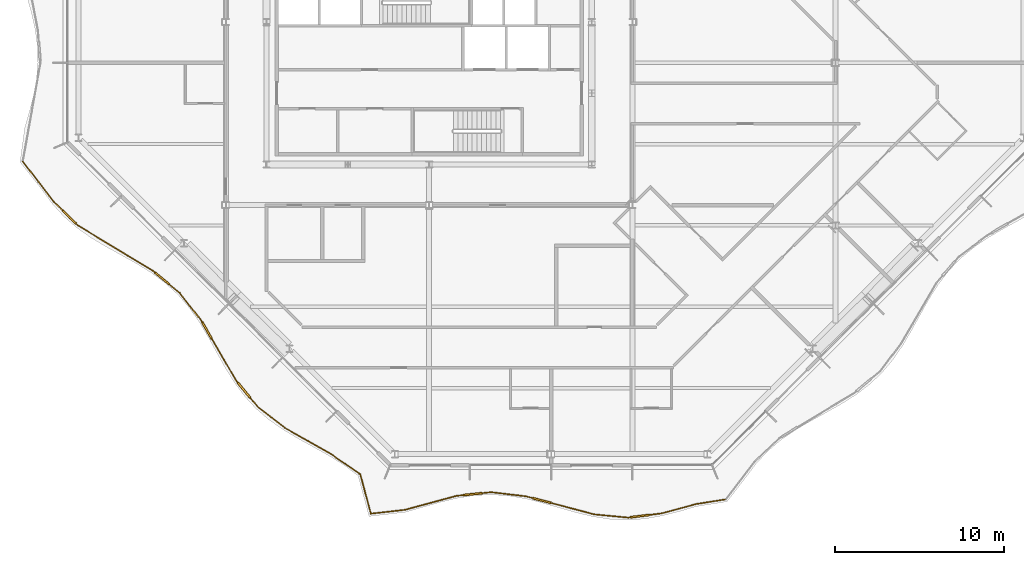
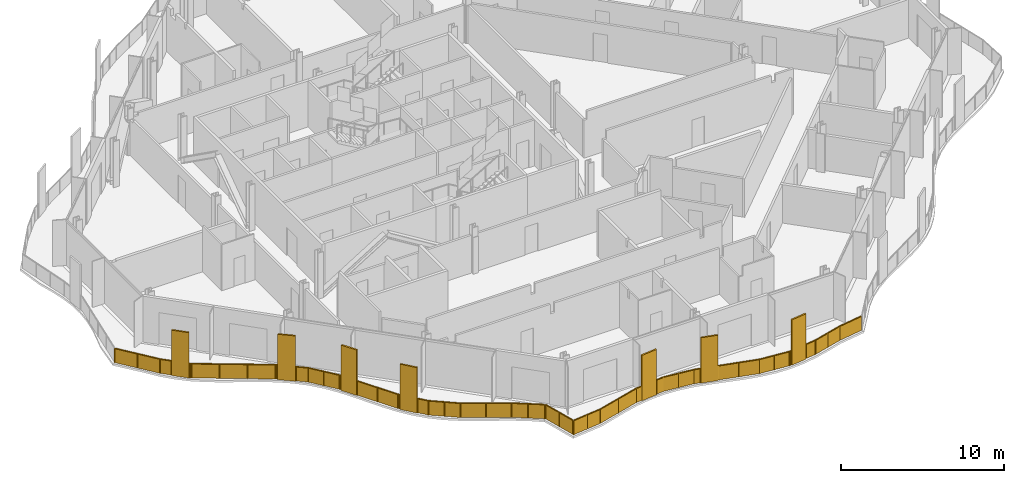
# One storey, part 13 of 17: 3 railings.
"""IFC4 building model written with IfcOpenShell, lengths in metres."""

from ifc_helpers import new_model, si_unit, direction, frame, origin, origin_2d, place, context, subcontext, project, spatial, polyline, rectangle, outline, extrude, material, type_object, element, save


model = new_model("IFC4")

# Units and contexts
model_context = context("Model", 3, precision=1e-05, world=origin(), true_north=direction((0.0, 1.0)))
body_context = subcontext(model_context, "Body", "Model", "MODEL_VIEW")
ifc_project = project(units=[si_unit("LENGTHUNIT", "METRE"), si_unit("AREAUNIT", "SQUARE_METRE"), si_unit("VOLUMEUNIT", "CUBIC_METRE"), si_unit("PLANEANGLEUNIT", "RADIAN"), si_unit("MASSUNIT", "GRAM", prefix="KILO")], contexts=[model_context])

# Site, building, storey
site_placement = place(None, origin())
site = spatial("IfcSite", under=ifc_project, at=site_placement, CompositionType="ELEMENT")
building_placement = place(site_placement, origin())
building = spatial("IfcBuilding", under=site, at=building_placement, Name="Cairn Pilgrim Tower", CompositionType="ELEMENT")
storey_placement = place(building_placement, frame((0.0, 0.0, 232.199951171875)))
storey = spatial("IfcBuildingStorey", under=building, at=storey_placement, Name="L59", CompositionType="ELEMENT", Elevation=232.199951171875)

# Railings
ifc_material_1 = material(Name="Bronze anodised aluminium rail and posts with laminated glass infill", Category="aluminium")
railing_type_1 = type_object("IfcRailingType", Name="BALCONY GUARD 1100", PredefinedType="GUARDRAIL", material=ifc_material_1)
railing_1_placement = place(storey_placement, frame((3.133056640625, -24.28271484375, 0.0)))
element("IfcRailing", 1, at=railing_1_placement, inside=storey, type_object=railing_type_1, Name="Balcony guard BG-9", PredefinedType="GUARDRAIL", context=body_context, shape_type="SweptSolid", body=[
    extrude(rectangle(XDim=0.050048828125, YDim=0.050048828125, at=origin_2d()), frame((0.0, 0.0, 1.0751953125), z_axis=(0.259293552442, -0.965798557496, 0.0), x_axis=(0.965798557496, 0.259293552442, 0.0)), (0.0, 0.0, 1.0), 2.356689453125),
    extrude(rectangle(XDim=0.050048828125, YDim=0.050048828125, at=origin_2d()), origin(), (0.0, 0.0, 1.0), 1.050048828125),
    extrude(rectangle(XDim=0.050048828125, YDim=0.050048828125, at=origin_2d()), frame((0.3056640625, -1.13818359375, 0.0)), (0.0, 0.0, 1.0), 1.050048828125),
    extrude(rectangle(XDim=0.050048828125, YDim=0.050048828125, at=origin_2d()), frame((0.611083984375, -2.276123046875, 0.0)), (0.0, 0.0, 1.0), 1.050048828125),
    extrude(outline(polyline([(0.02490234375, 0.0), (1.1533203125, 0.0), (1.1533203125, 1.050048828125), (0.02490234375, 1.050048828125), (0.02490234375, 0.0)])), frame((0.005859375, 0.00146484375, 0.0), z_axis=(-0.965798557496, -0.259293552442, 0.0), x_axis=(0.259293552442, -0.965798557496, 0.0)), (0.0, 0.0, 1.0), 0.011962890625),
    extrude(outline(polyline([(0.02490234375, 0.0), (1.1533203125, 0.0), (1.1533203125, 1.050048828125), (0.02490234375, 1.050048828125), (0.02490234375, 0.0)])), frame((0.311279296875, -1.136474609375, 0.0), z_axis=(-0.965798557496, -0.259293552442, 0.0), x_axis=(0.259293552442, -0.965798557496, 0.0)), (0.0, 0.0, 1.0), 0.011962890625),
])
ifc_material_2 = material(Name="Bronze anodised aluminium rail, posts and fin screens with laminated glass infill", Category="aluminium")
railing_type_2 = type_object("IfcRailingType", Name="BALCONY GUARD WITH FIN SCREENS", PredefinedType="GUARDRAIL", material=ifc_material_2)
railing_2_placement = place(storey_placement, frame((3.759765625, -26.61669921875, 0.0)))
element("IfcRailing", 2, at=railing_2_placement, inside=storey, type_object=railing_type_2, Name="Balcony guard BGF-1 with fin screens", PredefinedType="GUARDRAIL", context=body_context, shape_type="SweptSolid", body=[
    extrude(rectangle(XDim=0.050048828125, YDim=0.050048828125, at=origin_2d()), frame((0.0, 0.0, 1.0751953125), z_axis=(0.993583217329, 0.113103449293, 0.0), x_axis=(-0.113103449293, 0.993583217329, 0.0)), (0.0, 0.0, 1.0), 2.035400390625),
    extrude(rectangle(XDim=0.050048828125, YDim=0.050048828125, at=origin_2d()), frame((2.0224609375, 0.230224609375, 1.0751953125), z_axis=(0.965044785258, 0.26208502904, 0.0), x_axis=(-0.26208502904, 0.965044785258, 0.0)), (0.0, 0.0, 1.0), 3.14208984375),
    extrude(rectangle(XDim=1.10009765625, YDim=0.110107421875, at=origin_2d()), frame((6.018798828125, 1.154296875, 0.0), z_axis=(0.0, 0.0, 1.0), x_axis=(0.994613321271, 0.103654913782, 0.0)), (0.0, 0.0, 1.0), 3.39990234375),
    extrude(rectangle(XDim=0.050048828125, YDim=0.050048828125, at=origin_2d()), frame((5.0546875, 1.0537109375, 1.0751953125), z_axis=(0.994613321271, 0.103654913782, 0.0), x_axis=(-0.103654913782, 0.994613321271, 0.0)), (0.0, 0.0, 1.0), 0.41943359375),
    extrude(rectangle(XDim=0.050048828125, YDim=0.050048828125, at=origin_2d()), frame((6.56591796875, 1.211181640625, 1.0751953125), z_axis=(0.994613321271, 0.103654913782, 0.0), x_axis=(-0.103654913782, 0.994613321271, 0.0)), (0.0, 0.0, 1.0), 0.54150390625),
    extrude(rectangle(XDim=0.050048828125, YDim=0.050048828125, at=origin_2d()), frame((7.1044921875, 1.267333984375, 1.0751953125), z_axis=(0.993177246604, -0.116614565253, 0.0), x_axis=(0.116614565253, 0.993177246604, 0.0)), (0.0, 0.0, 1.0), 2.062255859375),
    extrude(rectangle(XDim=1.10009765625, YDim=0.110107421875, at=origin_2d()), frame((10.088623046875, 0.779541015625, 0.0), z_axis=(0.0, 0.0, 1.0), x_axis=(0.966804610479, -0.255516819712, 0.0)), (0.0, 0.0, 1.0), 3.39990234375),
    extrude(rectangle(XDim=0.050048828125, YDim=0.050048828125, at=origin_2d()), frame((9.152587890625, 1.02685546875, 1.0751953125), z_axis=(0.966804610479, -0.255516819712, 0.0), x_axis=(0.255516819712, 0.966804610479, 0.0)), (0.0, 0.0, 1.0), 0.41796875),
    extrude(rectangle(XDim=0.050048828125, YDim=0.050048828125, at=origin_2d()), frame((10.620361328125, 0.638916015625, 1.0751953125), z_axis=(0.966804610479, -0.255516819712, 0.0), x_axis=(0.255516819712, 0.966804610479, 0.0)), (0.0, 0.0, 1.0), 2.6611328125),
    extrude(rectangle(XDim=0.050048828125, YDim=0.050048828125, at=origin_2d()), frame((13.193115234375, -0.041015625, 1.0751953125), z_axis=(0.995474063991, -0.095033614687, 0.0), x_axis=(0.095033614687, 0.995474063991, 0.0)), (0.0, 0.0, 1.0), 2.001220703125),
    extrude(rectangle(XDim=1.10009765625, YDim=0.110107421875, at=origin_2d()), frame((15.8798828125, -0.143798828125, 0.0), z_axis=(0.0, 0.0, 1.0), x_axis=(0.992157815289, 0.124991477954, 0.0)), (0.0, 0.0, 1.0), 3.39990234375),
    extrude(rectangle(XDim=0.050048828125, YDim=0.050048828125, at=origin_2d()), frame((15.185302734375, -0.231201171875, 1.0751953125), z_axis=(0.992157815289, 0.124991477954, 0.0), x_axis=(-0.124991477954, 0.992157815289, 0.0)), (0.0, 0.0, 1.0), 0.150146484375),
    extrude(rectangle(XDim=0.050048828125, YDim=0.050048828125, at=origin_2d()), frame((16.425537109375, -0.074951171875, 1.0751953125), z_axis=(0.992157815289, 0.124991477954, 0.0), x_axis=(-0.124991477954, 0.992157815289, 0.0)), (0.0, 0.0, 1.0), 0.759765625),
    extrude(rectangle(XDim=0.050048828125, YDim=0.050048828125, at=origin_2d()), frame((17.179443359375, 0.02001953125, 1.0751953125), z_axis=(0.964917150506, 0.262554551776, 0.0), x_axis=(-0.262554551776, 0.964917150506, 0.0)), (0.0, 0.0, 1.0), 2.09228515625),
    extrude(rectangle(XDim=0.050048828125, YDim=0.050048828125, at=origin_2d()), frame((19.1982421875, 0.5693359375, 1.0751953125), z_axis=(0.987731725041, 0.156160300162, 0.0), x_axis=(-0.156160300162, 0.987731725041, 0.0)), (0.0, 0.0, 1.0), 1.7119140625),
    extrude(rectangle(XDim=0.050048828125, YDim=0.050048828125, at=origin_2d()), origin(), (0.0, 0.0, 1.0), 1.050048828125),
    extrude(rectangle(XDim=0.050048828125, YDim=0.050048828125, at=origin_2d()), frame((1.01123046875, 0.115234375, 0.0)), (0.0, 0.0, 1.0), 1.050048828125),
    extrude(rectangle(XDim=0.050048828125, YDim=0.050048828125, at=origin_2d()), frame((2.0224609375, 0.230224609375, 0.0)), (0.0, 0.0, 1.0), 1.050048828125),
    extrude(rectangle(XDim=0.050048828125, YDim=0.050048828125, at=origin_2d()), frame((3.53857421875, 0.64208984375, 0.0)), (0.0, 0.0, 1.0), 1.050048828125),
    extrude(rectangle(XDim=0.050048828125, YDim=0.050048828125, at=origin_2d()), frame((5.0546875, 1.0537109375, 0.0)), (0.0, 0.0, 1.0), 1.050048828125),
    extrude(rectangle(XDim=0.050048828125, YDim=0.050048828125, at=origin_2d()), frame((5.44677734375, 1.094482421875, 0.0)), (0.0, 0.0, 1.0), 1.050048828125),
    extrude(rectangle(XDim=0.050048828125, YDim=0.050048828125, at=origin_2d()), frame((6.5908203125, 1.2138671875, 0.0)), (0.0, 0.0, 1.0), 1.050048828125),
    extrude(rectangle(XDim=0.050048828125, YDim=0.050048828125, at=origin_2d()), frame((7.1044921875, 1.267333984375, 0.0)), (0.0, 0.0, 1.0), 1.050048828125),
    extrude(rectangle(XDim=0.050048828125, YDim=0.050048828125, at=origin_2d()), frame((8.12841796875, 1.14697265625, 0.0)), (0.0, 0.0, 1.0), 1.050048828125),
    extrude(rectangle(XDim=0.050048828125, YDim=0.050048828125, at=origin_2d()), frame((9.152587890625, 1.02685546875, 0.0)), (0.0, 0.0, 1.0), 1.050048828125),
    extrude(rectangle(XDim=0.050048828125, YDim=0.050048828125, at=origin_2d()), frame((9.532470703125, 0.926513671875, 0.0)), (0.0, 0.0, 1.0), 1.050048828125),
    extrude(rectangle(XDim=0.050048828125, YDim=0.050048828125, at=origin_2d()), frame((10.64453125, 0.632568359375, 0.0)), (0.0, 0.0, 1.0), 1.050048828125),
    extrude(rectangle(XDim=0.050048828125, YDim=0.050048828125, at=origin_2d()), frame((11.918701171875, 0.2958984375, 0.0)), (0.0, 0.0, 1.0), 1.050048828125),
    extrude(rectangle(XDim=0.050048828125, YDim=0.050048828125, at=origin_2d()), frame((13.193115234375, -0.041015625, 0.0)), (0.0, 0.0, 1.0), 1.050048828125),
    extrude(rectangle(XDim=0.050048828125, YDim=0.050048828125, at=origin_2d()), frame((14.189208984375, -0.13623046875, 0.0)), (0.0, 0.0, 1.0), 1.050048828125),
    extrude(rectangle(XDim=0.050048828125, YDim=0.050048828125, at=origin_2d()), frame((15.185302734375, -0.231201171875, 0.0)), (0.0, 0.0, 1.0), 1.050048828125),
    extrude(rectangle(XDim=0.050048828125, YDim=0.050048828125, at=origin_2d()), frame((15.309326171875, -0.215576171875, 0.0)), (0.0, 0.0, 1.0), 1.050048828125),
    extrude(rectangle(XDim=0.050048828125, YDim=0.050048828125, at=origin_2d()), frame((16.450439453125, -0.07177734375, 0.0)), (0.0, 0.0, 1.0), 1.050048828125),
    extrude(rectangle(XDim=0.050048828125, YDim=0.050048828125, at=origin_2d()), frame((17.179443359375, 0.02001953125, 0.0)), (0.0, 0.0, 1.0), 1.050048828125),
    extrude(rectangle(XDim=0.050048828125, YDim=0.050048828125, at=origin_2d()), frame((18.18896484375, 0.294677734375, 0.0)), (0.0, 0.0, 1.0), 1.050048828125),
    extrude(rectangle(XDim=0.050048828125, YDim=0.050048828125, at=origin_2d()), frame((19.1982421875, 0.5693359375, 0.0)), (0.0, 0.0, 1.0), 1.050048828125),
    extrude(rectangle(XDim=0.050048828125, YDim=0.050048828125, at=origin_2d()), frame((20.88916015625, 0.836669921875, 0.0)), (0.0, 0.0, 1.0), 1.050048828125),
    extrude(outline(polyline([(0.02490234375, 0.0), (0.99267578125, 0.0), (0.99267578125, 1.050048828125), (0.02490234375, 1.050048828125), (0.02490234375, 0.0)])), frame((-0.000732421875, 0.005859375, 0.0), z_axis=(0.113103449293, -0.993583217329, 0.0), x_axis=(0.993583217329, 0.113103449293, 0.0)), (0.0, 0.0, 1.0), 0.011962890625),
    extrude(outline(polyline([(0.02490234375, 0.0), (0.99267578125, 0.0), (0.99267578125, 1.050048828125), (0.02490234375, 1.050048828125), (0.02490234375, 0.0)])), frame((1.010498046875, 0.12109375, 0.0), z_axis=(0.113103449293, -0.993583217329, 0.0), x_axis=(0.993583217329, 0.113103449293, 0.0)), (0.0, 0.0, 1.0), 0.011962890625),
    extrude(outline(polyline([(0.02490234375, 0.0), (1.5458984375, 0.0), (1.5458984375, 1.050048828125), (0.02490234375, 1.050048828125), (0.02490234375, 0.0)])), frame((2.02099609375, 0.236083984375, 0.0), z_axis=(0.26208502904, -0.965044785258, 0.0), x_axis=(0.965044785258, 0.26208502904, 0.0)), (0.0, 0.0, 1.0), 0.011962890625),
    extrude(outline(polyline([(0.02490234375, 0.0), (1.5458984375, 0.0), (1.5458984375, 1.050048828125), (0.02490234375, 1.050048828125), (0.02490234375, 0.0)])), frame((3.537109375, 0.647705078125, 0.0), z_axis=(0.26208502904, -0.965044785258, 0.0), x_axis=(0.965044785258, 0.26208502904, 0.0)), (0.0, 0.0, 1.0), 0.011962890625),
    extrude(outline(polyline([(0.02490234375, 0.0), (0.369384765625, 0.0), (0.369384765625, 1.050048828125), (0.02490234375, 1.050048828125), (0.02490234375, 0.0)])), frame((5.053955078125, 1.0595703125, 0.0), z_axis=(0.103654913782, -0.994613321271, 0.0), x_axis=(0.994613321271, 0.103654913782, 0.0)), (0.0, 0.0, 1.0), 0.011962890625),
    extrude(outline(polyline([(0.02490234375, 0.0), (0.491455078125, 0.0), (0.491455078125, 1.050048828125), (0.02490234375, 1.050048828125), (0.02490234375, 0.0)])), frame((6.590087890625, 1.2197265625, 0.0), z_axis=(0.103654913782, -0.994613321271, 0.0), x_axis=(0.994613321271, 0.103654913782, 0.0)), (0.0, 0.0, 1.0), 0.011962890625),
    extrude(outline(polyline([(0.02490234375, 0.0), (1.006103515625, 0.0), (1.006103515625, 1.050048828125), (0.02490234375, 1.050048828125), (0.02490234375, 0.0)])), frame((7.105224609375, 1.273193359375, 0.0), z_axis=(-0.116614565253, -0.993177246604, 0.0), x_axis=(0.993177246604, -0.116614565253, 0.0)), (0.0, 0.0, 1.0), 0.011962890625),
    extrude(outline(polyline([(0.02490234375, 0.0), (1.006103515625, 0.0), (1.006103515625, 1.050048828125), (0.02490234375, 1.050048828125), (0.02490234375, 0.0)])), frame((8.129150390625, 1.153076171875, 0.0), z_axis=(-0.116614565253, -0.993177246604, 0.0), x_axis=(0.993177246604, -0.116614565253, 0.0)), (0.0, 0.0, 1.0), 0.011962890625),
    extrude(outline(polyline([(0.02490234375, 0.0), (0.367919921875, 0.0), (0.367919921875, 1.050048828125), (0.02490234375, 1.050048828125), (0.02490234375, 0.0)])), frame((9.154052734375, 1.03271484375, 0.0), z_axis=(-0.255516819712, -0.966804610479, 0.0), x_axis=(0.966804610479, -0.255516819712, 0.0)), (0.0, 0.0, 1.0), 0.011962890625),
    extrude(outline(polyline([(0.02490234375, 0.0), (1.29296875, 0.0), (1.29296875, 1.050048828125), (0.02490234375, 1.050048828125), (0.02490234375, 0.0)])), frame((10.64599609375, 0.638427734375, 0.0), z_axis=(-0.255516819712, -0.966804610479, 0.0), x_axis=(0.966804610479, -0.255516819712, 0.0)), (0.0, 0.0, 1.0), 0.011962890625),
    extrude(outline(polyline([(0.02490234375, 0.0), (1.29296875, 0.0), (1.29296875, 1.050048828125), (0.02490234375, 1.050048828125), (0.02490234375, 0.0)])), frame((11.92041015625, 0.301513671875, 0.0), z_axis=(-0.255516819712, -0.966804610479, 0.0), x_axis=(0.966804610479, -0.255516819712, 0.0)), (0.0, 0.0, 1.0), 0.011962890625),
    extrude(outline(polyline([(0.02490234375, 0.0), (0.9755859375, 0.0), (0.9755859375, 1.050048828125), (0.02490234375, 1.050048828125), (0.02490234375, 0.0)])), frame((13.193603515625, -0.03515625, 0.0), z_axis=(-0.095033614687, -0.995474063991, 0.0), x_axis=(0.995474063991, -0.095033614687, 0.0)), (0.0, 0.0, 1.0), 0.011962890625),
    extrude(outline(polyline([(0.02490234375, 0.0), (0.9755859375, 0.0), (0.9755859375, 1.050048828125), (0.02490234375, 1.050048828125), (0.02490234375, 0.0)])), frame((14.189697265625, -0.130126953125, 0.0), z_axis=(-0.095033614687, -0.995474063991, 0.0), x_axis=(0.995474063991, -0.095033614687, 0.0)), (0.0, 0.0, 1.0), 0.011962890625),
    extrude(outline(polyline([(0.02490234375, 0.0), (0.10009765625, 0.0), (0.10009765625, 1.050048828125), (0.02490234375, 1.050048828125), (0.02490234375, 0.0)])), frame((15.1845703125, -0.225341796875, 0.0), z_axis=(0.124991477954, -0.992157815289, 0.0), x_axis=(0.992157815289, 0.124991477954, 0.0)), (0.0, 0.0, 1.0), 0.011962890625),
    extrude(outline(polyline([(0.02490234375, 0.0), (0.709716796875, 0.0), (0.709716796875, 1.050048828125), (0.02490234375, 1.050048828125), (0.02490234375, 0.0)])), frame((16.44970703125, -0.06591796875, 0.0), z_axis=(0.124991477954, -0.992157815289, 0.0), x_axis=(0.992157815289, 0.124991477954, 0.0)), (0.0, 0.0, 1.0), 0.011962890625),
    extrude(outline(polyline([(0.02490234375, 0.0), (1.02099609375, 0.0), (1.02099609375, 1.050048828125), (0.02490234375, 1.050048828125), (0.02490234375, 0.0)])), frame((17.177978515625, 0.02587890625, 0.0), z_axis=(0.262554551776, -0.964917150506, 0.0), x_axis=(0.964917150506, 0.262554551776, 0.0)), (0.0, 0.0, 1.0), 0.011962890625),
    extrude(outline(polyline([(0.02490234375, 0.0), (1.02099609375, 0.0), (1.02099609375, 1.050048828125), (0.02490234375, 1.050048828125), (0.02490234375, 0.0)])), frame((18.187255859375, 0.300537109375, 0.0), z_axis=(0.262554551776, -0.964917150506, 0.0), x_axis=(0.964917150506, 0.262554551776, 0.0)), (0.0, 0.0, 1.0), 0.011962890625),
    extrude(outline(polyline([(0.02490234375, 0.0), (1.68701171875, 0.0), (1.68701171875, 1.050048828125), (0.02490234375, 1.050048828125), (0.02490234375, 0.0)])), frame((19.197265625, 0.5751953125, 0.0), z_axis=(0.156160300162, -0.987731725041, 0.0), x_axis=(0.987731725041, 0.156160300162, 0.0)), (0.0, 0.0, 1.0), 0.011962890625),
])
railing_3_placement = place(storey_placement, frame((-16.79345703125, -5.818603515625, 0.0)))
element("IfcRailing", 3, at=railing_3_placement, inside=storey, type_object=railing_type_2, Name="Balcony guard BGF-8 with fin screens", PredefinedType="GUARDRAIL", context=body_context, shape_type="SweptSolid", body=[
    extrude(rectangle(XDim=0.050048828125, YDim=0.050048828125, at=origin_2d()), frame((0.0, 0.0, 1.0751953125), z_axis=(0.610383084789, -0.792106362683, 0.0), x_axis=(0.792106362683, 0.610383084789, 0.0)), (0.0, 0.0, 1.0), 3.017333984375),
    extrude(rectangle(XDim=1.10009765625, YDim=0.110107421875, at=origin_2d()), frame((2.75732421875, -3.2900390625, 0.0), z_axis=(0.0, 0.0, 1.0), x_axis=(0.713111867358, -0.701050258279, 0.0)), (0.0, 0.0, 1.0), 3.39990234375),
    extrude(rectangle(XDim=0.050048828125, YDim=0.050048828125, at=origin_2d()), frame((1.841796875, -2.39013671875, 1.0751953125), z_axis=(0.713111867358, -0.701050258279, 0.0), x_axis=(0.701050258279, 0.713111867358, 0.0)), (0.0, 0.0, 1.0), 0.733642578125),
    extrude(rectangle(XDim=0.050048828125, YDim=0.050048828125, at=origin_2d()), frame((3.1494140625, -3.67578125, 1.0751953125), z_axis=(0.713111867358, -0.701050258279, 0.0), x_axis=(0.701050258279, 0.713111867358, 0.0)), (0.0, 0.0, 1.0), 0.14990234375),
    extrude(rectangle(XDim=0.050048828125, YDim=0.050048828125, at=origin_2d()), frame((3.25634765625, -3.78076171875, 1.0751953125), z_axis=(0.855465954964, -0.517859054084, 0.0), x_axis=(0.517859054084, 0.855465954964, 0.0)), (0.0, 0.0, 1.0), 5.171142578125),
    extrude(rectangle(XDim=1.10009765625, YDim=0.110107421875, at=origin_2d()), frame((8.220947265625, -6.9033203125, 0.0), z_axis=(0.0, 0.0, 1.0), x_axis=(0.772473560319, -0.635046926304, 0.0)), (0.0, 0.0, 1.0), 3.39990234375),
    extrude(rectangle(XDim=0.050048828125, YDim=0.050048828125, at=origin_2d()), frame((7.68017578125, -6.458740234375, 1.0751953125), z_axis=(0.772473560319, -0.635046926304, 0.0), x_axis=(0.635046926304, 0.772473560319, 0.0)), (0.0, 0.0, 1.0), 0.150146484375),
    extrude(rectangle(XDim=0.050048828125, YDim=0.050048828125, at=origin_2d()), frame((8.64599609375, -7.252685546875, 1.0751953125), z_axis=(0.772473560319, -0.635046926304, 0.0), x_axis=(0.635046926304, 0.772473560319, 0.0)), (0.0, 0.0, 1.0), 0.798095703125),
    extrude(rectangle(XDim=0.050048828125, YDim=0.050048828125, at=origin_2d()), frame((9.262451171875, -7.759521484375, 1.0751953125), z_axis=(0.615618657913, -0.788044204363, 0.0), x_axis=(0.788044204363, 0.615618657913, 0.0)), (0.0, 0.0, 1.0), 2.052978515625),
    extrude(rectangle(XDim=1.10009765625, YDim=0.110107421875, at=origin_2d()), frame((10.87841796875, -9.982666015625, 0.0), z_axis=(0.0, 0.0, 1.0), x_axis=(0.50286327606, -0.864365967395, 0.0)), (0.0, 0.0, 1.0), 3.39990234375),
    extrude(rectangle(XDim=0.050048828125, YDim=0.050048828125, at=origin_2d()), frame((10.5263671875, -9.37744140625, 1.0751953125), z_axis=(0.50286327606, -0.864365967395, 0.0), x_axis=(0.864365967395, 0.50286327606, 0.0)), (0.0, 0.0, 1.0), 0.150390625),
    extrude(rectangle(XDim=0.050048828125, YDim=0.050048828125, at=origin_2d()), frame((11.155029296875, -10.458251953125, 1.0751953125), z_axis=(0.50286327606, -0.864365967395, 0.0), x_axis=(0.864365967395, 0.50286327606, 0.0)), (0.0, 0.0, 1.0), 2.908447265625),
    extrude(rectangle(XDim=1.10009765625, YDim=0.110107421875, at=origin_2d()), frame((13.06494140625, -13.510986328125, 0.0), z_axis=(0.0, 0.0, 1.0), x_axis=(0.638651270929, -0.769496298978, 0.0)), (0.0, 0.0, 1.0), 3.39990234375),
    extrude(rectangle(XDim=0.050048828125, YDim=0.050048828125, at=origin_2d()), frame((12.61767578125, -12.97216796875, 1.0751953125), z_axis=(0.638651270929, -0.769496298978, 0.0), x_axis=(0.769496298978, 0.638651270929, 0.0)), (0.0, 0.0, 1.0), 0.150146484375),
    extrude(rectangle(XDim=0.050048828125, YDim=0.050048828125, at=origin_2d()), frame((13.416015625, -13.93408203125, 1.0751953125), z_axis=(0.638651270929, -0.769496298978, 0.0), x_axis=(0.769496298978, 0.638651270929, 0.0)), (0.0, 0.0, 1.0), 0.74072265625),
    extrude(rectangle(XDim=0.050048828125, YDim=0.050048828125, at=origin_2d()), frame((13.88916015625, -14.504150390625, 1.0751953125), z_axis=(0.790828507147, -0.612037802985, 0.0), x_axis=(0.612037802985, 0.790828507147, 0.0)), (0.0, 0.0, 1.0), 2.00048828125),
    extrude(rectangle(XDim=0.050048828125, YDim=0.050048828125, at=origin_2d()), frame((15.47119140625, -15.728515625, 1.0751953125), z_axis=(0.869519086158, -0.493899340763, 0.0), x_axis=(0.493899340763, 0.869519086158, 0.0)), (0.0, 0.0, 1.0), 3.125),
    extrude(rectangle(XDim=0.050048828125, YDim=0.050048828125, at=origin_2d()), frame((18.1884765625, -17.27197265625, 1.0751953125), z_axis=(0.824678007506, -0.565602496402, 0.0), x_axis=(0.565602496402, 0.824678007506, 0.0)), (0.0, 0.0, 1.0), 2.0478515625),
    extrude(rectangle(XDim=0.050048828125, YDim=0.050048828125, at=origin_2d()), origin(), (0.0, 0.0, 1.0), 1.050048828125),
    extrude(rectangle(XDim=0.050048828125, YDim=0.050048828125, at=origin_2d()), frame((0.9208984375, -1.195068359375, 0.0)), (0.0, 0.0, 1.0), 1.050048828125),
    extrude(rectangle(XDim=0.050048828125, YDim=0.050048828125, at=origin_2d()), frame((1.841796875, -2.39013671875, 0.0)), (0.0, 0.0, 1.0), 1.050048828125),
    extrude(rectangle(XDim=0.050048828125, YDim=0.050048828125, at=origin_2d()), frame((2.34716796875, -2.886962890625, 0.0)), (0.0, 0.0, 1.0), 1.050048828125),
    extrude(rectangle(XDim=0.050048828125, YDim=0.050048828125, at=origin_2d()), frame((3.167236328125, -3.693115234375, 0.0)), (0.0, 0.0, 1.0), 1.050048828125),
    extrude(rectangle(XDim=0.050048828125, YDim=0.050048828125, at=origin_2d()), frame((3.25634765625, -3.78076171875, 0.0)), (0.0, 0.0, 1.0), 1.050048828125),
    extrude(rectangle(XDim=0.050048828125, YDim=0.050048828125, at=origin_2d()), frame((4.73095703125, -4.67333984375, 0.0)), (0.0, 0.0, 1.0), 1.050048828125),
    extrude(rectangle(XDim=0.050048828125, YDim=0.050048828125, at=origin_2d()), frame((6.20556640625, -5.566162109375, 0.0)), (0.0, 0.0, 1.0), 1.050048828125),
    extrude(rectangle(XDim=0.050048828125, YDim=0.050048828125, at=origin_2d()), frame((7.68017578125, -6.458740234375, 0.0)), (0.0, 0.0, 1.0), 1.050048828125),
    extrude(rectangle(XDim=0.050048828125, YDim=0.050048828125, at=origin_2d()), frame((7.77685546875, -6.538330078125, 0.0)), (0.0, 0.0, 1.0), 1.050048828125),
    extrude(rectangle(XDim=0.050048828125, YDim=0.050048828125, at=origin_2d()), frame((8.665283203125, -7.2685546875, 0.0)), (0.0, 0.0, 1.0), 1.050048828125),
    extrude(rectangle(XDim=0.050048828125, YDim=0.050048828125, at=origin_2d()), frame((9.262451171875, -7.759521484375, 0.0)), (0.0, 0.0, 1.0), 1.050048828125),
    extrude(rectangle(XDim=0.050048828125, YDim=0.050048828125, at=origin_2d()), frame((9.89453125, -8.568359375, 0.0)), (0.0, 0.0, 1.0), 1.050048828125),
    extrude(rectangle(XDim=0.050048828125, YDim=0.050048828125, at=origin_2d()), frame((10.5263671875, -9.37744140625, 0.0)), (0.0, 0.0, 1.0), 1.050048828125),
    extrude(rectangle(XDim=0.050048828125, YDim=0.050048828125, at=origin_2d()), frame((10.58935546875, -9.485595703125, 0.0)), (0.0, 0.0, 1.0), 1.050048828125),
    extrude(rectangle(XDim=0.050048828125, YDim=0.050048828125, at=origin_2d()), frame((11.167724609375, -10.479736328125, 0.0)), (0.0, 0.0, 1.0), 1.050048828125),
    extrude(rectangle(XDim=0.050048828125, YDim=0.050048828125, at=origin_2d()), frame((11.892578125, -11.72607421875, 0.0)), (0.0, 0.0, 1.0), 1.050048828125),
    extrude(rectangle(XDim=0.050048828125, YDim=0.050048828125, at=origin_2d()), frame((12.61767578125, -12.97216796875, 0.0)), (0.0, 0.0, 1.0), 1.050048828125),
    extrude(rectangle(XDim=0.050048828125, YDim=0.050048828125, at=origin_2d()), frame((12.697509765625, -13.068359375, 0.0)), (0.0, 0.0, 1.0), 1.050048828125),
    extrude(rectangle(XDim=0.050048828125, YDim=0.050048828125, at=origin_2d()), frame((13.43212890625, -13.953369140625, 0.0)), (0.0, 0.0, 1.0), 1.050048828125),
    extrude(rectangle(XDim=0.050048828125, YDim=0.050048828125, at=origin_2d()), frame((13.88916015625, -14.504150390625, 0.0)), (0.0, 0.0, 1.0), 1.050048828125),
    extrude(rectangle(XDim=0.050048828125, YDim=0.050048828125, at=origin_2d()), frame((14.68017578125, -15.1162109375, 0.0)), (0.0, 0.0, 1.0), 1.050048828125),
    extrude(rectangle(XDim=0.050048828125, YDim=0.050048828125, at=origin_2d()), frame((15.47119140625, -15.728515625, 0.0)), (0.0, 0.0, 1.0), 1.050048828125),
    extrude(rectangle(XDim=0.050048828125, YDim=0.050048828125, at=origin_2d()), frame((16.829833984375, -16.500244140625, 0.0)), (0.0, 0.0, 1.0), 1.050048828125),
    extrude(rectangle(XDim=0.050048828125, YDim=0.050048828125, at=origin_2d()), frame((18.1884765625, -17.27197265625, 0.0)), (0.0, 0.0, 1.0), 1.050048828125),
    extrude(rectangle(XDim=0.050048828125, YDim=0.050048828125, at=origin_2d()), frame((19.03271484375, -17.85107421875, 0.0)), (0.0, 0.0, 1.0), 1.050048828125),
    extrude(rectangle(XDim=0.050048828125, YDim=0.050048828125, at=origin_2d()), frame((19.877197265625, -18.43017578125, 0.0)), (0.0, 0.0, 1.0), 1.050048828125),
    extrude(outline(polyline([(0.02490234375, 0.0), (1.483642578125, 0.0), (1.483642578125, 1.050048828125), (0.02490234375, 1.050048828125), (0.02490234375, 0.0)])), frame((0.004638671875, 0.003662109375, 0.0), z_axis=(-0.792106362683, -0.610383084789, 0.0), x_axis=(0.610383084789, -0.792106362683, 0.0)), (0.0, 0.0, 1.0), 0.011962890625),
    extrude(outline(polyline([(0.02490234375, 0.0), (1.483642578125, 0.0), (1.483642578125, 1.050048828125), (0.02490234375, 1.050048828125), (0.02490234375, 0.0)])), frame((0.925537109375, -1.19140625, 0.0), z_axis=(-0.792106362683, -0.610383084789, 0.0), x_axis=(0.610383084789, -0.792106362683, 0.0)), (0.0, 0.0, 1.0), 0.011962890625),
    extrude(outline(polyline([(0.02490234375, 0.0), (0.68359375, 0.0), (0.68359375, 1.050048828125), (0.02490234375, 1.050048828125), (0.02490234375, 0.0)])), frame((1.845947265625, -2.385986328125, 0.0), z_axis=(-0.701050258279, -0.713111867358, 0.0), x_axis=(0.713111867358, -0.701050258279, 0.0)), (0.0, 0.0, 1.0), 0.011962890625),
    extrude(outline(polyline([(0.02490234375, 0.0), (0.099853515625, 0.0), (0.099853515625, 1.050048828125), (0.02490234375, 1.050048828125), (0.02490234375, 0.0)])), frame((3.17138671875, -3.68896484375, 0.0), z_axis=(-0.701050258279, -0.713111867358, 0.0), x_axis=(0.713111867358, -0.701050258279, 0.0)), (0.0, 0.0, 1.0), 0.011962890625),
    extrude(outline(polyline([(0.02490234375, 0.0), (1.69873046875, 0.0), (1.69873046875, 1.050048828125), (0.02490234375, 1.050048828125), (0.02490234375, 0.0)])), frame((3.259521484375, -3.775634765625, 0.0), z_axis=(-0.517859054084, -0.855465954964, 0.0), x_axis=(0.855465954964, -0.517859054084, 0.0)), (0.0, 0.0, 1.0), 0.011962890625),
    extrude(outline(polyline([(0.02490234375, 0.0), (1.69873046875, 0.0), (1.69873046875, 1.050048828125), (0.02490234375, 1.050048828125), (0.02490234375, 0.0)])), frame((4.734130859375, -4.668212890625, 0.0), z_axis=(-0.517859054084, -0.855465954964, 0.0), x_axis=(0.855465954964, -0.517859054084, 0.0)), (0.0, 0.0, 1.0), 0.011962890625),
    extrude(outline(polyline([(0.02490234375, 0.0), (1.69873046875, 0.0), (1.69873046875, 1.050048828125), (0.02490234375, 1.050048828125), (0.02490234375, 0.0)])), frame((6.208740234375, -5.56103515625, 0.0), z_axis=(-0.517859054084, -0.855465954964, 0.0), x_axis=(0.855465954964, -0.517859054084, 0.0)), (0.0, 0.0, 1.0), 0.011962890625),
    extrude(outline(polyline([(0.02490234375, 0.0), (0.10009765625, 0.0), (0.10009765625, 1.050048828125), (0.02490234375, 1.050048828125), (0.02490234375, 0.0)])), frame((7.68408203125, -6.4541015625, 0.0), z_axis=(-0.635046926304, -0.772473560319, 0.0), x_axis=(0.772473560319, -0.635046926304, 0.0)), (0.0, 0.0, 1.0), 0.011962890625),
    extrude(outline(polyline([(0.02490234375, 0.0), (0.748046875, 0.0), (0.748046875, 1.050048828125), (0.02490234375, 1.050048828125), (0.02490234375, 0.0)])), frame((8.6689453125, -7.263916015625, 0.0), z_axis=(-0.635046926304, -0.772473560319, 0.0), x_axis=(0.772473560319, -0.635046926304, 0.0)), (0.0, 0.0, 1.0), 0.011962890625),
    extrude(outline(polyline([(0.02490234375, 0.0), (1.00146484375, 0.0), (1.00146484375, 1.050048828125), (0.02490234375, 1.050048828125), (0.02490234375, 0.0)])), frame((9.26708984375, -7.755859375, 0.0), z_axis=(-0.788044204363, -0.615618657913, 0.0), x_axis=(0.615618657913, -0.788044204363, 0.0)), (0.0, 0.0, 1.0), 0.011962890625),
    extrude(outline(polyline([(0.02490234375, 0.0), (1.00146484375, 0.0), (1.00146484375, 1.050048828125), (0.02490234375, 1.050048828125), (0.02490234375, 0.0)])), frame((9.899169921875, -8.564697265625, 0.0), z_axis=(-0.788044204363, -0.615618657913, 0.0), x_axis=(0.615618657913, -0.788044204363, 0.0)), (0.0, 0.0, 1.0), 0.011962890625),
    extrude(outline(polyline([(0.02490234375, 0.0), (0.100341796875, 0.0), (0.100341796875, 1.050048828125), (0.02490234375, 1.050048828125), (0.02490234375, 0.0)])), frame((10.531494140625, -9.37451171875, 0.0), z_axis=(-0.864365967395, -0.50286327606, 0.0), x_axis=(0.50286327606, -0.864365967395, 0.0)), (0.0, 0.0, 1.0), 0.011962890625),
    extrude(outline(polyline([(0.02490234375, 0.0), (1.416748046875, 0.0), (1.416748046875, 1.050048828125), (0.02490234375, 1.050048828125), (0.02490234375, 0.0)])), frame((11.1728515625, -10.476806640625, 0.0), z_axis=(-0.864365967395, -0.50286327606, 0.0), x_axis=(0.50286327606, -0.864365967395, 0.0)), (0.0, 0.0, 1.0), 0.011962890625),
    extrude(outline(polyline([(0.02490234375, 0.0), (1.416748046875, 0.0), (1.416748046875, 1.050048828125), (0.02490234375, 1.050048828125), (0.02490234375, 0.0)])), frame((11.89794921875, -11.722900390625, 0.0), z_axis=(-0.864365967395, -0.50286327606, 0.0), x_axis=(0.50286327606, -0.864365967395, 0.0)), (0.0, 0.0, 1.0), 0.011962890625),
    extrude(outline(polyline([(0.02490234375, 0.0), (0.10009765625, 0.0), (0.10009765625, 1.050048828125), (0.02490234375, 1.050048828125), (0.02490234375, 0.0)])), frame((12.622314453125, -12.96826171875, 0.0), z_axis=(-0.769496298978, -0.638651270929, 0.0), x_axis=(0.638651270929, -0.769496298978, 0.0)), (0.0, 0.0, 1.0), 0.011962890625),
    extrude(outline(polyline([(0.02490234375, 0.0), (0.690673828125, 0.0), (0.690673828125, 1.050048828125), (0.02490234375, 1.050048828125), (0.02490234375, 0.0)])), frame((13.436767578125, -13.94970703125, 0.0), z_axis=(-0.769496298978, -0.638651270929, 0.0), x_axis=(0.638651270929, -0.769496298978, 0.0)), (0.0, 0.0, 1.0), 0.011962890625),
    extrude(outline(polyline([(0.02490234375, 0.0), (0.97509765625, 0.0), (0.97509765625, 1.050048828125), (0.02490234375, 1.050048828125), (0.02490234375, 0.0)])), frame((13.892822265625, -14.49951171875, 0.0), z_axis=(-0.612037802985, -0.790828507147, 0.0), x_axis=(0.790828507147, -0.612037802985, 0.0)), (0.0, 0.0, 1.0), 0.011962890625),
    extrude(outline(polyline([(0.02490234375, 0.0), (0.97509765625, 0.0), (0.97509765625, 1.050048828125), (0.02490234375, 1.050048828125), (0.02490234375, 0.0)])), frame((14.683837890625, -15.111572265625, 0.0), z_axis=(-0.612037802985, -0.790828507147, 0.0), x_axis=(0.790828507147, -0.612037802985, 0.0)), (0.0, 0.0, 1.0), 0.011962890625),
    extrude(outline(polyline([(0.02490234375, 0.0), (1.53759765625, 0.0), (1.53759765625, 1.050048828125), (0.02490234375, 1.050048828125), (0.02490234375, 0.0)])), frame((15.47412109375, -15.723388671875, 0.0), z_axis=(-0.493899340763, -0.869519086158, 0.0), x_axis=(0.869519086158, -0.493899340763, 0.0)), (0.0, 0.0, 1.0), 0.011962890625),
    extrude(outline(polyline([(0.02490234375, 0.0), (1.53759765625, 0.0), (1.53759765625, 1.050048828125), (0.02490234375, 1.050048828125), (0.02490234375, 0.0)])), frame((16.832763671875, -16.4951171875, 0.0), z_axis=(-0.493899340763, -0.869519086158, 0.0), x_axis=(0.869519086158, -0.493899340763, 0.0)), (0.0, 0.0, 1.0), 0.011962890625),
    extrude(outline(polyline([(0.02490234375, 0.0), (0.998779296875, 0.0), (0.998779296875, 1.050048828125), (0.02490234375, 1.050048828125), (0.02490234375, 0.0)])), frame((18.19189453125, -17.26708984375, 0.0), z_axis=(-0.565602496402, -0.824678007506, 0.0), x_axis=(0.824678007506, -0.565602496402, 0.0)), (0.0, 0.0, 1.0), 0.011962890625),
    extrude(outline(polyline([(0.02490234375, 0.0), (0.998779296875, 0.0), (0.998779296875, 1.050048828125), (0.02490234375, 1.050048828125), (0.02490234375, 0.0)])), frame((19.0361328125, -17.84619140625, 0.0), z_axis=(-0.565602496402, -0.824678007506, 0.0), x_axis=(0.824678007506, -0.565602496402, 0.0)), (0.0, 0.0, 1.0), 0.011962890625),
])

save(model, "model.ifc")
